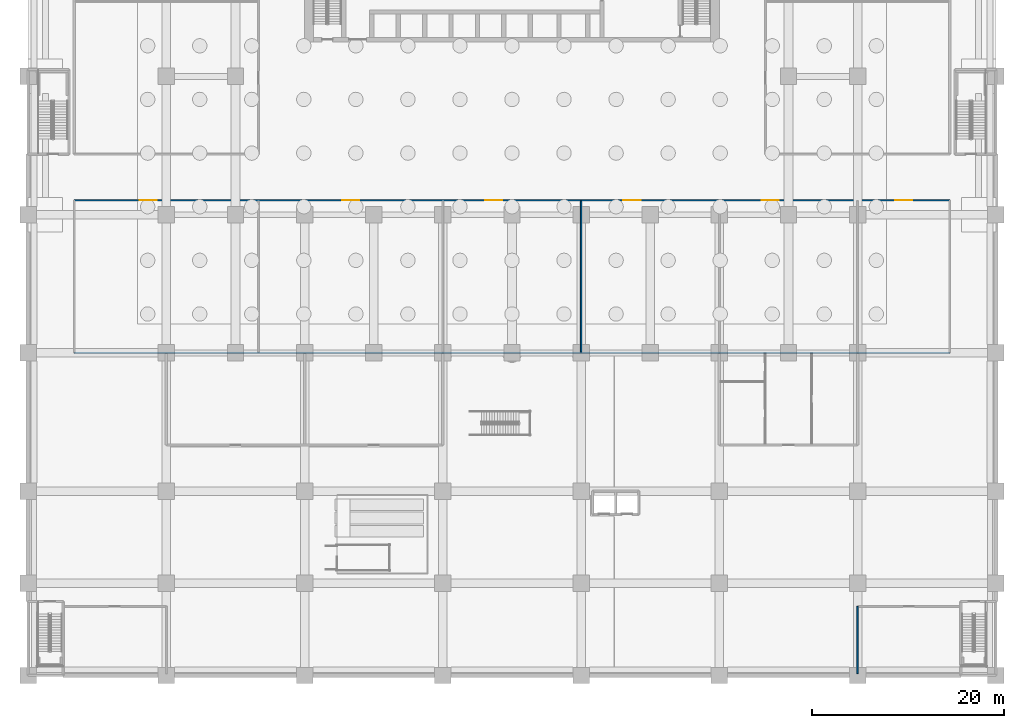
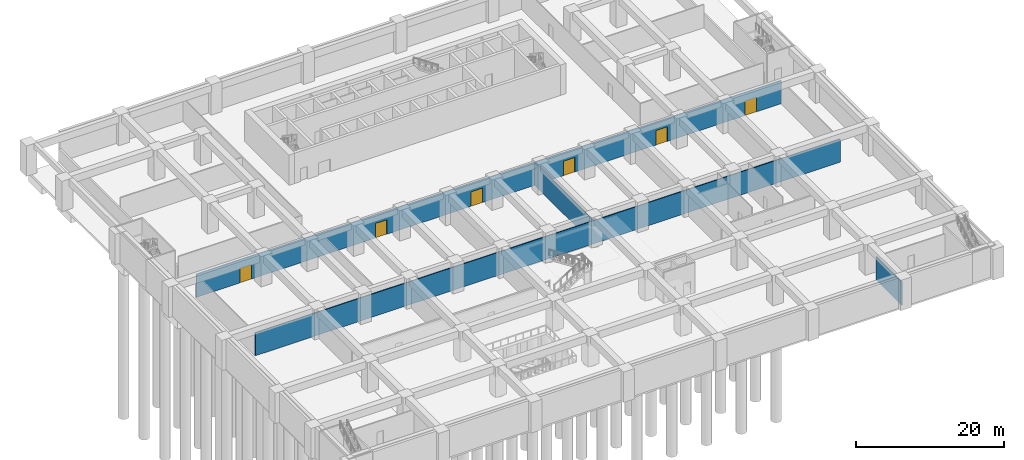
# One storey, part 6 of 20: 6 doors, 4 walls, 6 openings.
"""IFC4 building model written with IfcOpenShell, lengths in metres."""

from ifc_helpers import new_model, si_unit, direction, frame, frame_2d, origin, place, context, subcontext, project, spatial, rectangle, extrude, material, layer, layer_set, type_object, element, fill, save


model = new_model("IFC4")

# Units and contexts
model_context = context("Model", 3, precision=1e-05, world=origin(), true_north=direction((0.0, 1.0)))
body_context = subcontext(model_context, "Body", "Model", "MODEL_VIEW")
ifc_project = project(units=[si_unit("LENGTHUNIT", "METRE"), si_unit("AREAUNIT", "SQUARE_METRE"), si_unit("VOLUMEUNIT", "CUBIC_METRE"), si_unit("PLANEANGLEUNIT", "RADIAN"), si_unit("MASSUNIT", "GRAM", prefix="KILO")], contexts=[model_context])

# Site, building, storey
site_placement = place(None, origin())
site = spatial("IfcSite", under=ifc_project, at=site_placement, CompositionType="ELEMENT")
building_placement = place(site_placement, origin())
building = spatial("IfcBuilding", under=site, at=building_placement, Name="Saffron Iwan Residences", CompositionType="ELEMENT")
storey_placement = place(building_placement, frame((0.0, 0.0, -5.39990234375)))
storey = spatial("IfcBuildingStorey", under=building, at=storey_placement, Name="B1", CompositionType="ELEMENT", Elevation=-5.39990234375)

# Wall
ifc_material_1 = material(Name="Concrete blockwork", Category="masonry")
ifc_layer = layer(ifc_material_1, 0.14990234375)
ifc_layer_set = layer_set([ifc_layer], Name="Concrete blockwork")
wall_type = type_object("IfcWallType", Name="Blockwork partition 150", PredefinedType="PARTITIONING", material=ifc_layer_set)
wall_1_placement = place(storey_placement, frame((4.800048828125, 33.60009765625, 0.0), z_axis=(0.0, 0.0, 1.0), x_axis=(1.0, 0.0, 0.0)))
element("IfcWall", 1, at=wall_1_placement, inside=storey, type_object=wall_type, Name="W-B1-013", PredefinedType="PARTITIONING", context=body_context, shape_type="SweptSolid", body=[
    extrude(rectangle(XDim=91.199951171875, YDim=0.14990234375, at=frame_2d((45.60009765625, 0.0))), origin(), (0.0, 0.0, 1.0), 3.7998046875),
])

# Wall, openings, doors
wall_2_placement = place(storey_placement, frame((4.800048828125, 49.5, 0.0), z_axis=(0.0, 0.0, 1.0), x_axis=(1.0, 0.0, 0.0)))
wall_2 = element("IfcWall", 2, at=wall_2_placement, inside=storey, type_object=wall_type, Name="W-B1-014", PredefinedType="PARTITIONING", context=body_context, shape_type="SweptSolid", body=[
    extrude(rectangle(XDim=91.199951171875, YDim=0.14990234375, at=frame_2d((45.60009765625, 0.0))), origin(), (0.0, 0.0, 1.0), 3.7998046875),
])
opening_1_placement = place(wall_2_placement, frame((6.800048828125, 0.0, 0.0)))
opening_1 = element("IfcOpeningElement", 3, at=opening_1_placement, cuts=wall_2, Name="Opening B1.11", PredefinedType="OPENING", context=body_context, shape_type="SweptSolid", body=[
    extrude(rectangle(XDim=1.800048828125, YDim=2.39990234375, at=frame_2d((0.89990234375, 1.199951171875))), frame((0.0, 0.0849609375, 0.0), z_axis=(0.0, -1.0, 0.0), x_axis=(1.0, 0.0, 0.0)), (0.0, 0.0, 1.0), 0.169921875),
])
opening_2_placement = place(wall_2_placement, frame((27.89990234375, 0.0, 0.0)))
opening_2 = element("IfcOpeningElement", 4, at=opening_2_placement, cuts=wall_2, Name="Opening B1.12", PredefinedType="OPENING", context=body_context, shape_type="SweptSolid", body=[
    extrude(rectangle(XDim=1.800048828125, YDim=2.39990234375, at=frame_2d((0.89990234375, 1.199951171875))), frame((0.0, 0.0849609375, 0.0), z_axis=(0.0, -1.0, 0.0), x_axis=(1.0, 0.0, 0.0)), (0.0, 0.0, 1.0), 0.169921875),
])
opening_3_placement = place(wall_2_placement, frame((42.800048828125, 0.0, 0.0)))
opening_3 = element("IfcOpeningElement", 5, at=opening_3_placement, cuts=wall_2, Name="Opening B1.13", PredefinedType="OPENING", context=body_context, shape_type="SweptSolid", body=[
    extrude(rectangle(XDim=1.800048828125, YDim=2.39990234375, at=frame_2d((0.89990234375, 1.199951171875))), frame((0.0, 0.0849609375, 0.0), z_axis=(0.0, -1.0, 0.0), x_axis=(1.0, 0.0, 0.0)), (0.0, 0.0, 1.0), 0.169921875),
])
opening_4_placement = place(wall_2_placement, frame((57.199951171875, 0.0, 0.0)))
opening_4 = element("IfcOpeningElement", 6, at=opening_4_placement, cuts=wall_2, Name="Opening B1.14", PredefinedType="OPENING", context=body_context, shape_type="SweptSolid", body=[
    extrude(rectangle(XDim=1.800048828125, YDim=2.39990234375, at=frame_2d((0.89990234375, 1.199951171875))), frame((0.0, 0.0849609375, 0.0), z_axis=(0.0, -1.0, 0.0), x_axis=(1.0, 0.0, 0.0)), (0.0, 0.0, 1.0), 0.169921875),
])
opening_5_placement = place(wall_2_placement, frame((71.60009765625, 0.0, 0.0)))
opening_5 = element("IfcOpeningElement", 7, at=opening_5_placement, cuts=wall_2, Name="Opening B1.15", PredefinedType="OPENING", context=body_context, shape_type="SweptSolid", body=[
    extrude(rectangle(XDim=1.800048828125, YDim=2.39990234375, at=frame_2d((0.89990234375, 1.199951171875))), frame((0.0, 0.0849609375, 0.0), z_axis=(0.0, -1.0, 0.0), x_axis=(1.0, 0.0, 0.0)), (0.0, 0.0, 1.0), 0.169921875),
])
opening_6_placement = place(wall_2_placement, frame((85.5, 0.0, 0.0)))
opening_6 = element("IfcOpeningElement", 8, at=opening_6_placement, cuts=wall_2, Name="Opening B1.16", PredefinedType="OPENING", context=body_context, shape_type="SweptSolid", body=[
    extrude(rectangle(XDim=1.800048828125, YDim=2.39990234375, at=frame_2d((0.89990234375, 1.199951171875))), frame((0.0, 0.0849609375, 0.0), z_axis=(0.0, -1.0, 0.0), x_axis=(1.0, 0.0, 0.0)), (0.0, 0.0, 1.0), 0.169921875),
])
ifc_material_2 = material(Name="Steel", Category="steel")
door_type = type_object("IfcDoorType", Name="Plant room louvred double door 1800x2400", OperationType="DOUBLE_DOOR_SINGLE_SWING", PredefinedType="DOOR", material=ifc_material_2)
door_1_placement = place(opening_1_placement, origin())
door_1 = element("IfcDoor", 9, at=door_1_placement, inside=storey, type_object=door_type, Name="D-B1-011", OperationType="DOUBLE_DOOR_SINGLE_SWING", OverallHeight=2.39990234375, OverallWidth=1.800048828125, PredefinedType="DOOR", context=body_context, shape_type="SweptSolid", body=[
    extrude(rectangle(XDim=1.800048828125, YDim=2.39990234375, at=frame_2d((0.89990234375, 1.199951171875))), frame((0.0, 0.02490234375, 0.0), z_axis=(0.0, -1.0, 0.0), x_axis=(1.0, 0.0, 0.0)), (0.0, 0.0, 1.0), 0.050048828125),
])
fill(opening_1, door_1)
door_2_placement = place(opening_2_placement, origin())
door_2 = element("IfcDoor", 10, at=door_2_placement, inside=storey, type_object=door_type, Name="D-B1-012", OperationType="DOUBLE_DOOR_SINGLE_SWING", OverallHeight=2.39990234375, OverallWidth=1.800048828125, PredefinedType="DOOR", context=body_context, shape_type="SweptSolid", body=[
    extrude(rectangle(XDim=1.800048828125, YDim=2.39990234375, at=frame_2d((0.89990234375, 1.199951171875))), frame((0.0, 0.02490234375, 0.0), z_axis=(0.0, -1.0, 0.0), x_axis=(1.0, 0.0, 0.0)), (0.0, 0.0, 1.0), 0.050048828125),
])
fill(opening_2, door_2)
door_3_placement = place(opening_3_placement, origin())
door_3 = element("IfcDoor", 11, at=door_3_placement, inside=storey, type_object=door_type, Name="D-B1-013", OperationType="DOUBLE_DOOR_SINGLE_SWING", OverallHeight=2.39990234375, OverallWidth=1.800048828125, PredefinedType="DOOR", context=body_context, shape_type="SweptSolid", body=[
    extrude(rectangle(XDim=1.800048828125, YDim=2.39990234375, at=frame_2d((0.89990234375, 1.199951171875))), frame((0.0, 0.02490234375, 0.0), z_axis=(0.0, -1.0, 0.0), x_axis=(1.0, 0.0, 0.0)), (0.0, 0.0, 1.0), 0.050048828125),
])
fill(opening_3, door_3)
door_4_placement = place(opening_4_placement, origin())
door_4 = element("IfcDoor", 12, at=door_4_placement, inside=storey, type_object=door_type, Name="D-B1-014", OperationType="DOUBLE_DOOR_SINGLE_SWING", OverallHeight=2.39990234375, OverallWidth=1.800048828125, PredefinedType="DOOR", context=body_context, shape_type="SweptSolid", body=[
    extrude(rectangle(XDim=1.800048828125, YDim=2.39990234375, at=frame_2d((0.89990234375, 1.199951171875))), frame((0.0, 0.02490234375, 0.0), z_axis=(0.0, -1.0, 0.0), x_axis=(1.0, 0.0, 0.0)), (0.0, 0.0, 1.0), 0.050048828125),
])
fill(opening_4, door_4)
door_5_placement = place(opening_5_placement, origin())
door_5 = element("IfcDoor", 13, at=door_5_placement, inside=storey, type_object=door_type, Name="D-B1-015", OperationType="DOUBLE_DOOR_SINGLE_SWING", OverallHeight=2.39990234375, OverallWidth=1.800048828125, PredefinedType="DOOR", context=body_context, shape_type="SweptSolid", body=[
    extrude(rectangle(XDim=1.800048828125, YDim=2.39990234375, at=frame_2d((0.89990234375, 1.199951171875))), frame((0.0, 0.02490234375, 0.0), z_axis=(0.0, -1.0, 0.0), x_axis=(1.0, 0.0, 0.0)), (0.0, 0.0, 1.0), 0.050048828125),
])
fill(opening_5, door_5)
door_6_placement = place(opening_6_placement, origin())
door_6 = element("IfcDoor", 14, at=door_6_placement, inside=storey, type_object=door_type, Name="D-B1-016", OperationType="DOUBLE_DOOR_SINGLE_SWING", OverallHeight=2.39990234375, OverallWidth=1.800048828125, PredefinedType="DOOR", context=body_context, shape_type="SweptSolid", body=[
    extrude(rectangle(XDim=1.800048828125, YDim=2.39990234375, at=frame_2d((0.89990234375, 1.199951171875))), frame((0.0, 0.02490234375, 0.0), z_axis=(0.0, -1.0, 0.0), x_axis=(1.0, 0.0, 0.0)), (0.0, 0.0, 1.0), 0.050048828125),
])
fill(opening_6, door_6)

# Walls
wall_3_placement = place(storey_placement, frame((57.60009765625, 33.675048828125, 0.0), z_axis=(0.0, 0.0, 1.0), x_axis=(0.0, 1.0, 0.0)))
element("IfcWall", 15, at=wall_3_placement, inside=storey, type_object=wall_type, Name="W-B1-038", PredefinedType="PARTITIONING", context=body_context, shape_type="SweptSolid", body=[
    extrude(rectangle(XDim=15.75, YDim=0.14990234375, at=frame_2d((7.875, 0.0))), origin(), (0.0, 0.0, 1.0), 3.7998046875),
])
wall_4_placement = place(storey_placement, frame((86.39990234375, 0.199951171875, 0.0), z_axis=(0.0, 0.0, 1.0), x_axis=(0.0, 1.0, 0.0)))
element("IfcWall", 16, at=wall_4_placement, inside=storey, type_object=wall_type, Name="W-B1-047", PredefinedType="PARTITIONING", context=body_context, shape_type="SweptSolid", body=[
    extrude(rectangle(XDim=7.0, YDim=0.14990234375, at=frame_2d((3.5, 0.0))), origin(), (0.0, 0.0, 1.0), 3.7998046875),
])

save(model, "model.ifc")
